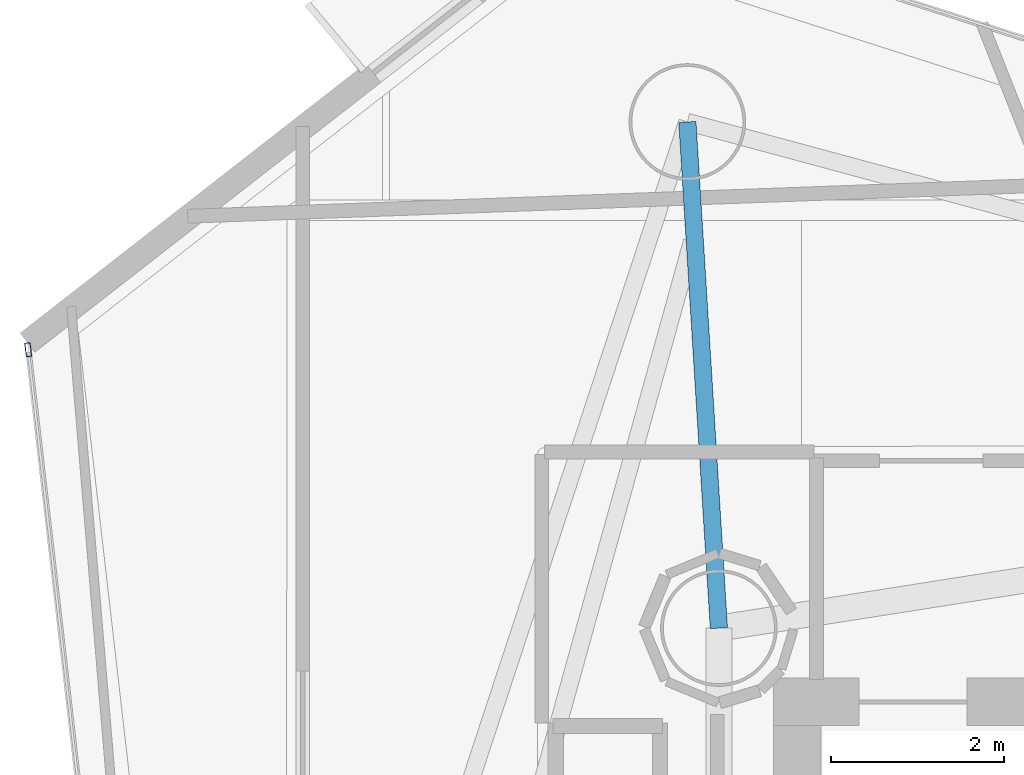
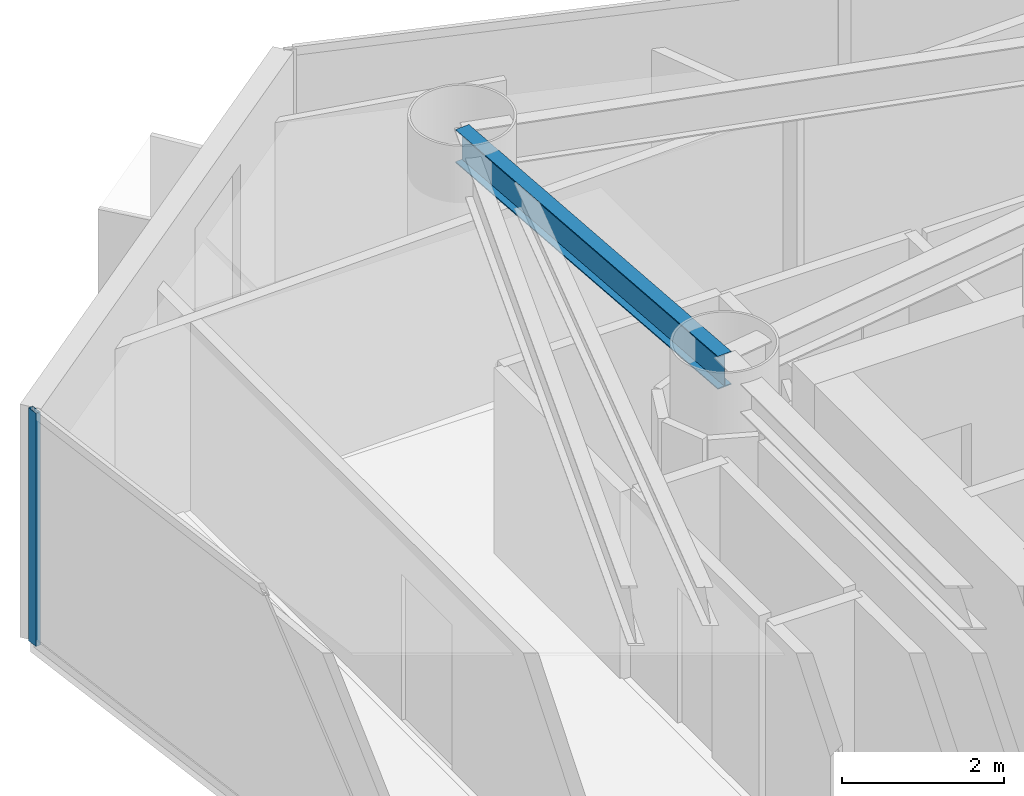
# One storey, part 11 of 22: 1 beam, 1 member, 1 element without a shape of its own.
"""IFC4 building model written with IfcOpenShell, lengths in metres."""

from ifc_helpers import new_model, si_unit, direction, frame, origin, origin_2d, place, context, subcontext, project, spatial, hollow_rectangle, i_section, extrude, material, layer, layer_set, material_profile, profile_set, type_object, element, aggregate, save


model = new_model("IFC4")

# Units and contexts
model_context = context("Model", 3, precision=1e-05, world=origin(), true_north=direction((0.0, 1.0)))
body_context = subcontext(model_context, "Body", "Model", "MODEL_VIEW")
ifc_project = project(units=[si_unit("LENGTHUNIT", "METRE"), si_unit("AREAUNIT", "SQUARE_METRE"), si_unit("VOLUMEUNIT", "CUBIC_METRE"), si_unit("PLANEANGLEUNIT", "RADIAN"), si_unit("MASSUNIT", "GRAM", prefix="KILO")], contexts=[model_context])

# Site, building, storey
site_placement = place(None, origin())
site = spatial("IfcSite", under=ifc_project, at=site_placement, CompositionType="ELEMENT")
building_placement = place(site_placement, origin())
building = spatial("IfcBuilding", under=site, at=building_placement, Name="Qianvela Tower", CompositionType="ELEMENT")
storey_placement = place(building_placement, frame((0.0, 0.0, 173.5)))
storey = spatial("IfcBuildingStorey", under=building, at=storey_placement, Name="L44", CompositionType="ELEMENT", Elevation=173.5)

# Beam
ifc_material_1 = material(Name="Steel Q355B", Category="steel")
ifc_material_profile_1 = material_profile(ifc_material_1, i_section(OverallWidth=0.199951171875, OverallDepth=0.5, WebThickness=0.010009765625, FlangeThickness=0.01611328125, at=origin_2d()), Name="HN500x200x10x16")
ifc_profile_set_1 = profile_set([ifc_material_profile_1], Name="Steel Q355B")
beam_type = type_object("IfcBeamType", Name="BM-HN500-GIRD", PredefinedType="BEAM", material=ifc_profile_set_1)
beam_placement = place(storey_placement, frame((28.60009765625, 33.550048828125, 3.26806640625), z_axis=(-0.0621556847, 0.998066466153, 0.0), x_axis=(-0.998066466153, -0.0621556847, 0.0)))
element("IfcBeam", 1, at=beam_placement, inside=storey, type_object=beam_type, Name="L44 Radial Primary Floor Girder 3", PredefinedType="BEAM", context=body_context, shape_type="SweptSolid", body=[
    extrude(i_section(OverallWidth=0.199951171875, OverallDepth=0.5, WebThickness=0.010009765625, FlangeThickness=0.01611328125, at=origin_2d()), origin(), (0.0, 0.0, 1.0), 5.872314453125),
])

# Curtain wall, member
ifc_material_2 = material(Name="Anodised Architectural Aluminium and Low-E Glass", Category="aluminium")
ifc_layer = layer(ifc_material_2, 0.169921875)
ifc_layer_set = layer_set([ifc_layer], Name="Anodised Architectural Aluminium and Low-E Glass")
curtain_wall_type = type_object("IfcCurtainWallType", Name="CW-COLIV-Z34", PredefinedType="USERDEFINED", material=ifc_layer_set)
curtain_wall_placement = place(storey_placement, origin())
curtain_wall = element("IfcCurtainWall", 2, at=curtain_wall_placement, inside=storey, type_object=curtain_wall_type, Name="L44 CW-COLIV-Z34 Curtain Wall 04A", ObjectType="CURTAIN_WALL_SYSTEM", PredefinedType="USERDEFINED")
ifc_material_3 = material(Name="Anodised Architectural Aluminium 6063-T6", Category="aluminium")
ifc_material_profile_2 = material_profile(ifc_material_3, hollow_rectangle(XDim=0.06494140625, YDim=0.159912109375, WallThickness=0.0048828125, at=origin_2d()), Name="ALU-MULL-65x160")
ifc_profile_set_2 = profile_set([ifc_material_profile_2], Name="Anodised Architectural Aluminium 6063-T6")
member_type = type_object("IfcMemberType", Name="CW-COLIV-Z34-MULL", PredefinedType="MULLION", material=ifc_profile_set_2)
member_placement = place(storey_placement, frame((20.6025390625, 36.7734375, 0.0), z_axis=(0.0, 0.0, 1.0), x_axis=(0.993452573461, 0.114245281235, 0.0)))
member = element("IfcMember", 3, at=member_placement, type_object=member_type, Name="CW-4 mullion 1", PredefinedType="MULLION", context=body_context, shape_type="SweptSolid", body=[
    extrude(hollow_rectangle(XDim=0.06494140625, YDim=0.159912109375, WallThickness=0.0048828125, at=origin_2d()), origin(), (0.0, 0.0, 1.0), 3.52001953125),
])
aggregate(curtain_wall, [member])

save(model, "model.ifc")
